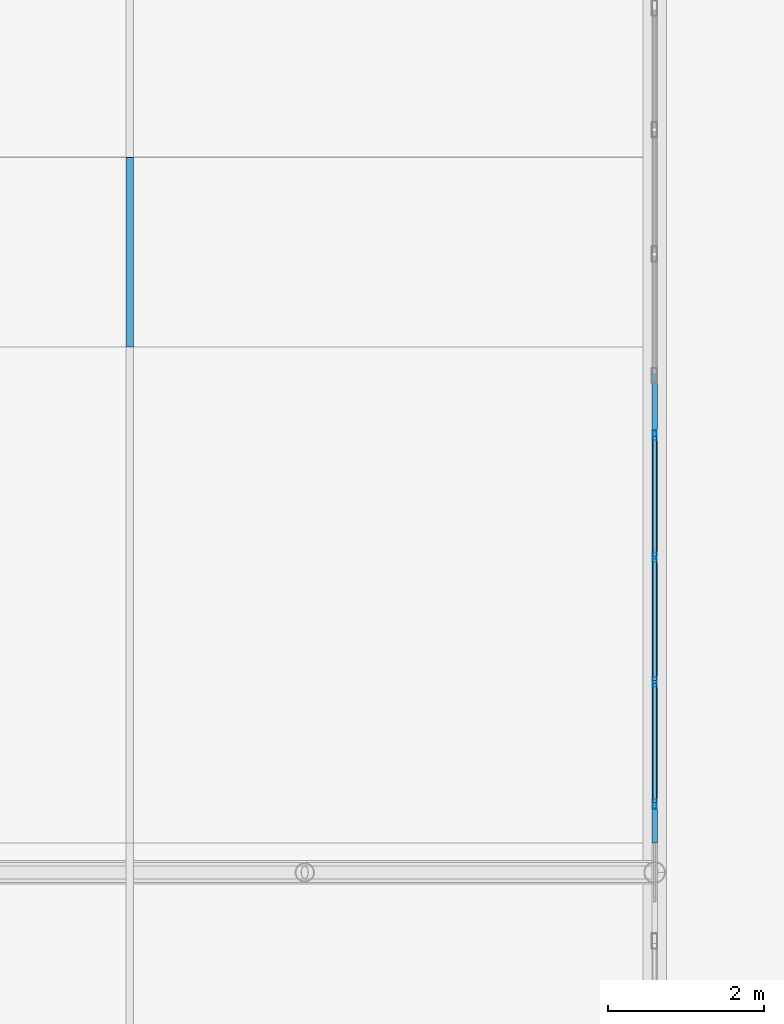
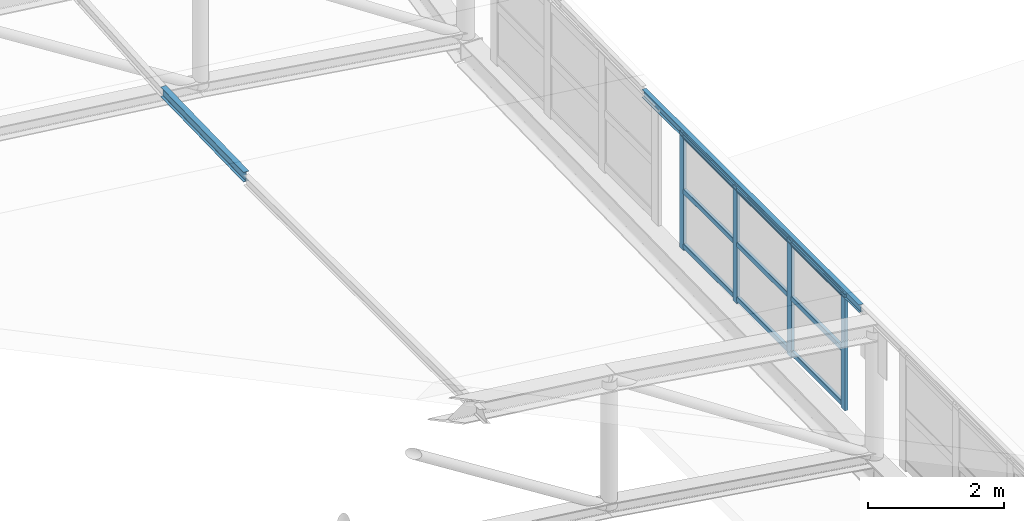
# One storey, part 121 of 262: 15 members, 1 element without a shape of its own.
"""IFC4 building model written with IfcOpenShell, lengths in metres."""

from ifc_helpers import new_model, si_unit, derived_unit, direction, frame, origin, origin_2d, place, context, subcontext, project, spatial, hollow_rectangle, i_section, extrude, material, layer, layer_set, material_profile, profile_set, type_object, element, aggregate, save


model = new_model("IFC4")

# Units and contexts
model_context = context("Model", 3, precision=1e-05, world=origin(), true_north=direction((0.0, 1.0)))
body_context = subcontext(model_context, "Body", "Model", "MODEL_VIEW")
ifc_project = project(units=[si_unit("LENGTHUNIT", "METRE"), si_unit("AREAUNIT", "SQUARE_METRE"), si_unit("VOLUMEUNIT", "CUBIC_METRE"), si_unit("PLANEANGLEUNIT", "RADIAN"), si_unit("MASSUNIT", "GRAM", prefix="KILO"), derived_unit("THERMALTRANSMITTANCEUNIT", [(si_unit("POWERUNIT", "WATT"), 1), (si_unit("LENGTHUNIT", "METRE"), -2), (si_unit("THERMODYNAMICTEMPERATUREUNIT", "KELVIN"), -1)])], contexts=[model_context])

# Site, building, storey
site_placement = place(None, origin())
site = spatial("IfcSite", under=ifc_project, at=site_placement, CompositionType="ELEMENT")
building_placement = place(site_placement, origin())
building = spatial("IfcBuilding", under=site, at=building_placement, Name="Almenara Railside Exhibition Hall", CompositionType="ELEMENT")
storey_placement = place(building_placement, frame((0.0, 0.0, 21.699951171875)))
storey = spatial("IfcBuildingStorey", under=building, at=storey_placement, Name="RF", CompositionType="ELEMENT", Elevation=21.699951171875)

# Member
ifc_material_1 = material(Name="Structural steel S355JR", Category="steel")
ifc_material_profile_1 = material_profile(ifc_material_1, i_section(OverallWidth=0.072998046875, OverallDepth=0.139892578125, WebThickness=0.004638671875, FlangeThickness=0.0068359375, FilletRadius=0.007080078125, at=origin_2d()), Name="IPE 140")
ifc_profile_set_1 = profile_set([ifc_material_profile_1], Name="Structural steel S355JR")
member_type_1 = type_object("IfcMemberType", Name="Canopy Edge Purlin IPE 140 S355JR", PredefinedType="PURLIN", material=ifc_profile_set_1)
member_1_placement = place(storey_placement, frame((66.0, 96.3798828125, 0.0146484375), z_axis=(0.0, 1.0, 0.0), x_axis=(-1.0, 0.0, 0.0)))
element("IfcMember", 1, at=member_1_placement, inside=storey, type_object=member_type_1, Name="MEM-PR-V1-PR-IPE140-08-15", PredefinedType="PURLIN", context=body_context, shape_type="SweptSolid", body=[
    extrude(i_section(OverallWidth=0.072998046875, OverallDepth=0.139892578125, WebThickness=0.004638671875, FlangeThickness=0.0068359375, FilletRadius=0.007080078125, at=origin_2d()), origin(), (0.0, 0.0, 1.0), 6.379638671875),
])

# Curtain wall, members
ifc_material_2 = material(Name="Bronze-anodised aluminium and low-E double glazing", Category="aluminium")
ifc_layer = layer(ifc_material_2, 0.179931640625, Name="Bronze-anodised aluminium and low-E double glazing")
ifc_layer_set = layer_set([ifc_layer], Name="Bronze-anodised aluminium and low-E double glazing")
curtain_wall_type = type_object("IfcCurtainWallType", Name="West Hall Clerestory Curtain Wall 4200x2400", PredefinedType="NOTDEFINED", material=ifc_layer_set)
curtain_wall_placement = place(storey_placement, origin())
curtain_wall = element("IfcCurtainWall", 2, at=curtain_wall_placement, inside=storey, type_object=curtain_wall_type, Name="Curtain wall CW-CL1-186", PredefinedType="NOTDEFINED")
ifc_material_3 = material(Name="Bronze-anodised aluminium", Category="aluminium")
ifc_material_profile_2 = material_profile(ifc_material_3, hollow_rectangle(XDim=0.054931640625, YDim=0.125, WallThickness=0.0029296875, InnerFilletRadius=0.0029296875, OuterFilletRadius=0.006103515625, at=origin_2d()), Name="ALU-MUL 55x125x3")
ifc_profile_set_2 = profile_set([ifc_material_profile_2], Name="Bronze-anodised aluminium")
member_type_2 = type_object("IfcMemberType", Name="Curtain Wall Mullion 55x125x3", PredefinedType="MULLION", material=ifc_profile_set_2)
member_2_placement = place(storey_placement, frame((66.0, 96.87744140625, -2.0849609375), z_axis=(0.0, 0.0, 1.0), x_axis=(-1.0, 0.0, 0.0)))
member_2 = element("IfcMember", 3, at=member_2_placement, type_object=member_type_2, Name="CW-CL1-186 mullion 1", PredefinedType="MULLION", context=body_context, shape_type="SweptSolid", body=[
    extrude(hollow_rectangle(XDim=0.054931640625, YDim=0.125, WallThickness=0.0029296875, InnerFilletRadius=0.0029296875, OuterFilletRadius=0.006103515625, at=origin_2d()), origin(), (0.0, 0.0, 1.0), 2.0849609375),
])
member_3_placement = place(storey_placement, frame((66.0, 98.449951171875, -2.0849609375), z_axis=(0.0, 0.0, 1.0), x_axis=(-1.0, 0.0, 0.0)))
member_3 = element("IfcMember", 4, at=member_3_placement, type_object=member_type_2, Name="CW-CL1-186 mullion 2", PredefinedType="MULLION", context=body_context, shape_type="SweptSolid", body=[
    extrude(hollow_rectangle(XDim=0.054931640625, YDim=0.125, WallThickness=0.0029296875, InnerFilletRadius=0.0029296875, OuterFilletRadius=0.006103515625, at=origin_2d()), origin(), (0.0, 0.0, 1.0), 2.0849609375),
])
member_4_placement = place(storey_placement, frame((66.0, 100.050048828125, -2.0849609375), z_axis=(0.0, 0.0, 1.0), x_axis=(-1.0, 0.0, 0.0)))
member_4 = element("IfcMember", 5, at=member_4_placement, type_object=member_type_2, Name="CW-CL1-186 mullion 3", PredefinedType="MULLION", context=body_context, shape_type="SweptSolid", body=[
    extrude(hollow_rectangle(XDim=0.054931640625, YDim=0.125, WallThickness=0.0029296875, InnerFilletRadius=0.0029296875, OuterFilletRadius=0.006103515625, at=origin_2d()), origin(), (0.0, 0.0, 1.0), 2.0849609375),
])
member_5_placement = place(storey_placement, frame((66.0, 101.62255859375, -2.0849609375), z_axis=(0.0, 0.0, 1.0), x_axis=(-1.0, 0.0, 0.0)))
member_5 = element("IfcMember", 6, at=member_5_placement, type_object=member_type_2, Name="CW-CL1-186 mullion 4", PredefinedType="MULLION", context=body_context, shape_type="SweptSolid", body=[
    extrude(hollow_rectangle(XDim=0.054931640625, YDim=0.125, WallThickness=0.0029296875, InnerFilletRadius=0.0029296875, OuterFilletRadius=0.006103515625, at=origin_2d()), origin(), (0.0, 0.0, 1.0), 2.0849609375),
])
ifc_material_profile_3 = material_profile(ifc_material_3, hollow_rectangle(XDim=0.054931640625, YDim=0.090087890625, WallThickness=0.0029296875, InnerFilletRadius=0.0029296875, OuterFilletRadius=0.006103515625, at=origin_2d()), Name="ALU-TRN 55x90x3")
ifc_profile_set_3 = profile_set([ifc_material_profile_3], Name="Bronze-anodised aluminium")
member_type_3 = type_object("IfcMemberType", Name="Curtain Wall Transom 55x90x3", PredefinedType="USERDEFINED", material=ifc_profile_set_3)
member_6_placement = place(storey_placement, frame((66.0, 96.89697265625, -2.0048828125), z_axis=(0.0, 1.0, 0.0), x_axis=(-1.0, 0.0, 0.0)))
member_6 = element("IfcMember", 7, at=member_6_placement, type_object=member_type_3, Name="CW-CL1-186 transom 1.1", ObjectType="TRANSOM", PredefinedType="USERDEFINED", context=body_context, shape_type="SweptSolid", body=[
    extrude(hollow_rectangle(XDim=0.054931640625, YDim=0.090087890625, WallThickness=0.0029296875, InnerFilletRadius=0.0029296875, OuterFilletRadius=0.006103515625, at=origin_2d()), origin(), (0.0, 0.0, 1.0), 1.533447265625),
])
member_7_placement = place(storey_placement, frame((66.0, 96.89697265625, -1.02490234375), z_axis=(0.0, 1.0, 0.0), x_axis=(-1.0, 0.0, 0.0)))
member_7 = element("IfcMember", 8, at=member_7_placement, type_object=member_type_3, Name="CW-CL1-186 transom 1.2", ObjectType="TRANSOM", PredefinedType="USERDEFINED", context=body_context, shape_type="SweptSolid", body=[
    extrude(hollow_rectangle(XDim=0.054931640625, YDim=0.090087890625, WallThickness=0.0029296875, InnerFilletRadius=0.0029296875, OuterFilletRadius=0.006103515625, at=origin_2d()), origin(), (0.0, 0.0, 1.0), 1.533447265625),
])
member_8_placement = place(storey_placement, frame((66.0, 96.89697265625, -0.044921875), z_axis=(0.0, 1.0, 0.0), x_axis=(-1.0, 0.0, 0.0)))
member_8 = element("IfcMember", 9, at=member_8_placement, type_object=member_type_3, Name="CW-CL1-186 transom 1.3", ObjectType="TRANSOM", PredefinedType="USERDEFINED", context=body_context, shape_type="SweptSolid", body=[
    extrude(hollow_rectangle(XDim=0.054931640625, YDim=0.090087890625, WallThickness=0.0029296875, InnerFilletRadius=0.0029296875, OuterFilletRadius=0.006103515625, at=origin_2d()), origin(), (0.0, 0.0, 1.0), 1.533447265625),
])
member_9_placement = place(storey_placement, frame((66.0, 98.469482421875, -2.0048828125), z_axis=(0.0, 1.0, 0.0), x_axis=(-1.0, 0.0, 0.0)))
member_9 = element("IfcMember", 10, at=member_9_placement, type_object=member_type_3, Name="CW-CL1-186 transom 2.1", ObjectType="TRANSOM", PredefinedType="USERDEFINED", context=body_context, shape_type="SweptSolid", body=[
    extrude(hollow_rectangle(XDim=0.054931640625, YDim=0.090087890625, WallThickness=0.0029296875, InnerFilletRadius=0.0029296875, OuterFilletRadius=0.006103515625, at=origin_2d()), origin(), (0.0, 0.0, 1.0), 1.56103515625),
])
member_10_placement = place(storey_placement, frame((66.0, 98.469482421875, -1.02490234375), z_axis=(0.0, 1.0, 0.0), x_axis=(-1.0, 0.0, 0.0)))
member_10 = element("IfcMember", 11, at=member_10_placement, type_object=member_type_3, Name="CW-CL1-186 transom 2.2", ObjectType="TRANSOM", PredefinedType="USERDEFINED", context=body_context, shape_type="SweptSolid", body=[
    extrude(hollow_rectangle(XDim=0.054931640625, YDim=0.090087890625, WallThickness=0.0029296875, InnerFilletRadius=0.0029296875, OuterFilletRadius=0.006103515625, at=origin_2d()), origin(), (0.0, 0.0, 1.0), 1.56103515625),
])
member_11_placement = place(storey_placement, frame((66.0, 98.469482421875, -0.044921875), z_axis=(0.0, 1.0, 0.0), x_axis=(-1.0, 0.0, 0.0)))
member_11 = element("IfcMember", 12, at=member_11_placement, type_object=member_type_3, Name="CW-CL1-186 transom 2.3", ObjectType="TRANSOM", PredefinedType="USERDEFINED", context=body_context, shape_type="SweptSolid", body=[
    extrude(hollow_rectangle(XDim=0.054931640625, YDim=0.090087890625, WallThickness=0.0029296875, InnerFilletRadius=0.0029296875, OuterFilletRadius=0.006103515625, at=origin_2d()), origin(), (0.0, 0.0, 1.0), 1.56103515625),
])
member_12_placement = place(storey_placement, frame((66.0, 100.069580078125, -2.0048828125), z_axis=(0.0, 1.0, 0.0), x_axis=(-1.0, 0.0, 0.0)))
member_12 = element("IfcMember", 13, at=member_12_placement, type_object=member_type_3, Name="CW-CL1-186 transom 3.1", ObjectType="TRANSOM", PredefinedType="USERDEFINED", context=body_context, shape_type="SweptSolid", body=[
    extrude(hollow_rectangle(XDim=0.054931640625, YDim=0.090087890625, WallThickness=0.0029296875, InnerFilletRadius=0.0029296875, OuterFilletRadius=0.006103515625, at=origin_2d()), origin(), (0.0, 0.0, 1.0), 1.533447265625),
])
member_13_placement = place(storey_placement, frame((66.0, 100.069580078125, -1.02490234375), z_axis=(0.0, 1.0, 0.0), x_axis=(-1.0, 0.0, 0.0)))
member_13 = element("IfcMember", 14, at=member_13_placement, type_object=member_type_3, Name="CW-CL1-186 transom 3.2", ObjectType="TRANSOM", PredefinedType="USERDEFINED", context=body_context, shape_type="SweptSolid", body=[
    extrude(hollow_rectangle(XDim=0.054931640625, YDim=0.090087890625, WallThickness=0.0029296875, InnerFilletRadius=0.0029296875, OuterFilletRadius=0.006103515625, at=origin_2d()), origin(), (0.0, 0.0, 1.0), 1.533447265625),
])
member_14_placement = place(storey_placement, frame((66.0, 100.069580078125, -0.044921875), z_axis=(0.0, 1.0, 0.0), x_axis=(-1.0, 0.0, 0.0)))
member_14 = element("IfcMember", 15, at=member_14_placement, type_object=member_type_3, Name="CW-CL1-186 transom 3.3", ObjectType="TRANSOM", PredefinedType="USERDEFINED", context=body_context, shape_type="SweptSolid", body=[
    extrude(hollow_rectangle(XDim=0.054931640625, YDim=0.090087890625, WallThickness=0.0029296875, InnerFilletRadius=0.0029296875, OuterFilletRadius=0.006103515625, at=origin_2d()), origin(), (0.0, 0.0, 1.0), 1.533447265625),
])
aggregate(curtain_wall, [member_2, member_3, member_4, member_5, member_6, member_7, member_8, member_9, member_10, member_11, member_12, member_13, member_14])

# Member
ifc_material_profile_4 = material_profile(ifc_material_1, i_section(OverallWidth=0.091064453125, OverallDepth=0.179931640625, WebThickness=0.00537109375, FlangeThickness=0.008056640625, FilletRadius=0.009033203125, at=origin_2d()), Name="IPE 180")
ifc_profile_set_4 = profile_set([ifc_material_profile_4], Name="Structural steel S355JR")
member_type_4 = type_object("IfcMemberType", Name="Plenary Roof Purlin IPE 180 S355JR", PredefinedType="PURLIN", material=ifc_profile_set_4)
member_15_placement = place(storey_placement, frame((59.25, 102.759521484375, 0.87158203125), z_axis=(0.0, 0.999725289903, 0.023438104182), x_axis=(-1.0, 0.0, 0.0)))
element("IfcMember", 16, at=member_15_placement, inside=storey, type_object=member_type_4, Name="MEM-PR-V1-PR-IPE180-07-16", PredefinedType="PURLIN", context=body_context, shape_type="SweptSolid", body=[
    extrude(i_section(OverallWidth=0.091064453125, OverallDepth=0.179931640625, WebThickness=0.00537109375, FlangeThickness=0.008056640625, FilletRadius=0.009033203125, at=origin_2d()), origin(), (0.0, 0.0, 1.0), 2.4375),
])

save(model, "model.ifc")
